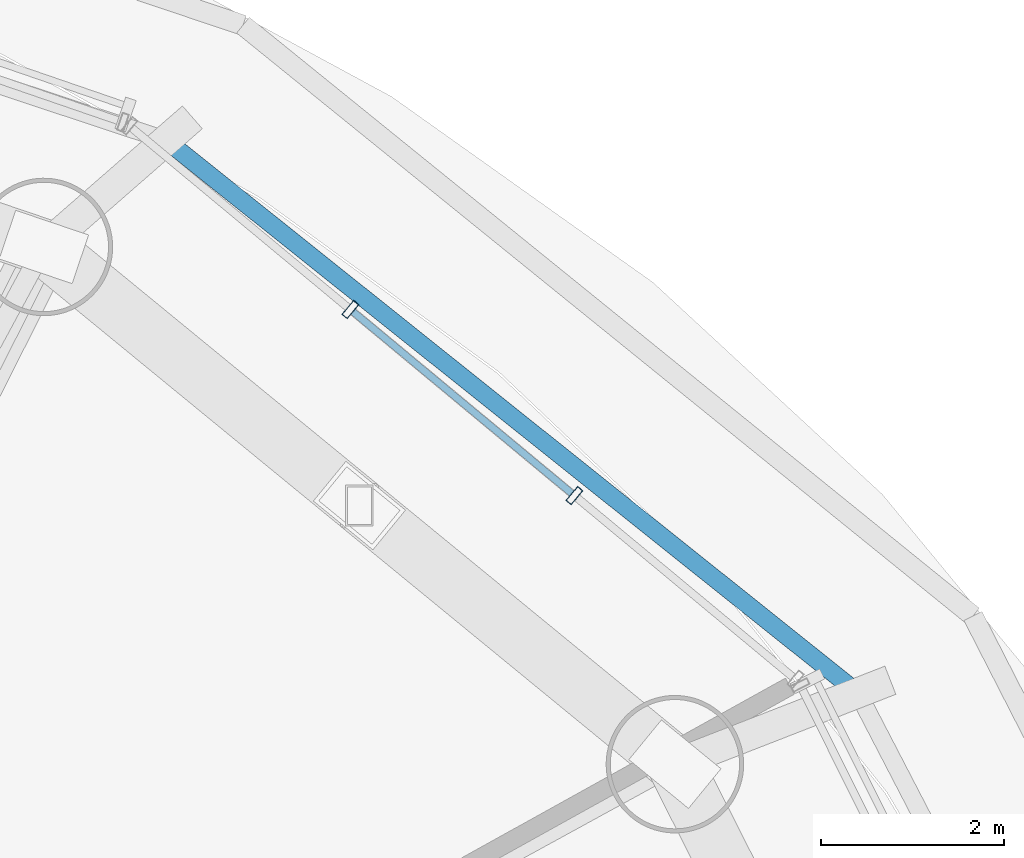
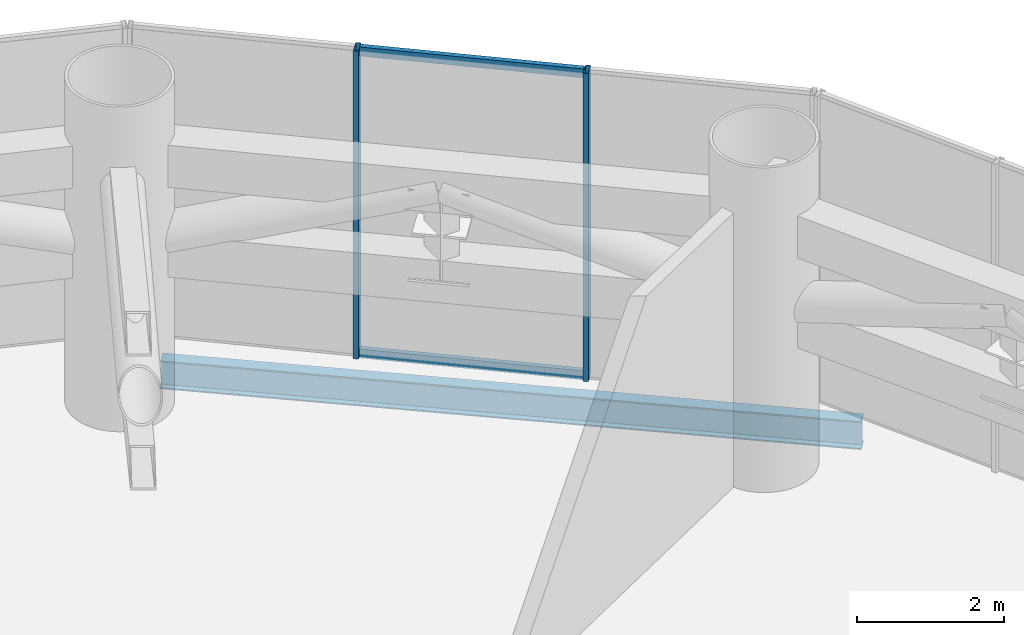
# One storey, part 23 of 33: 4 members, 1 beam, 1 element without a shape of its own.
"""IFC4 building model written with IfcOpenShell, lengths in metres."""

from ifc_helpers import new_model, si_unit, direction, frame, origin, origin_2d, place, context, subcontext, project, spatial, hollow_rectangle, i_section, extrude, source, transform, mapped, material, material_profile, profile_set, type_object, element, aggregate, save


model = new_model("IFC4")

# Units and contexts
model_context = context("Model", 3, precision=1e-05, world=origin(), true_north=direction((-0.2419218956, 0.970295726276)))
body_context = subcontext(model_context, "Body", "Model", "MODEL_VIEW")
ifc_project = project(units=[si_unit("LENGTHUNIT", "METRE"), si_unit("AREAUNIT", "SQUARE_METRE"), si_unit("VOLUMEUNIT", "CUBIC_METRE"), si_unit("PLANEANGLEUNIT", "RADIAN"), si_unit("MASSUNIT", "GRAM", prefix="KILO")], contexts=[model_context])

# Site, building, storey
site_placement = place(None, origin())
site = spatial("IfcSite", under=ifc_project, at=site_placement, CompositionType="ELEMENT")
building_placement = place(site_placement, origin())
building = spatial("IfcBuilding", under=site, at=building_placement, Name="Cobrevalo Terracotta Tower", CompositionType="ELEMENT")
storey_placement = place(building_placement, frame((0.0, 0.0, 74.39990234375)))
storey = spatial("IfcBuildingStorey", under=building, at=storey_placement, Name="L19", CompositionType="ELEMENT", Elevation=74.39990234375)

# Beam
ifc_material_1 = material(Name="Steel S355", Category="steel")
ifc_material_profile_1 = material_profile(ifc_material_1, i_section(OverallWidth=0.194091796875, OverallDepth=0.468994140625, WebThickness=0.011474609375, FlangeThickness=0.0205078125, at=origin_2d()), Name="W 460x106")
ifc_profile_set_1 = profile_set([ifc_material_profile_1], Name="Steel S355")
beam_type = type_object("IfcBeamType", Name="Structural Spandrel W 460x106 (Steel S355)", PredefinedType="SPANDREL", material=ifc_profile_set_1)
beam_placement = place(storey_placement, frame((60.74072265625, 38.939208984375, -0.684326171875), z_axis=(-0.781292806807, 0.62416468182, 0.0), x_axis=(-0.62416468182, -0.781292806807, 0.0)))
element("IfcBeam", 1, at=beam_placement, inside=storey, type_object=beam_type, Name="L19 perimeter ring spandrel 02", PredefinedType="SPANDREL", context=body_context, shape_type="SweptSolid", body=[
    extrude(i_section(OverallWidth=0.194091796875, OverallDepth=0.468994140625, WebThickness=0.011474609375, FlangeThickness=0.0205078125, at=origin_2d()), origin(), (0.0, 0.0, 1.0), 9.658203125),
])

# Curtain wall, members
ifc_material_2 = material(Name="Anodized aluminium", Category="aluminium")
curtain_wall_type = type_object("IfcCurtainWallType", Name="Belt-truss plant acoustic weather-louvre curtain wall CW-LV", PredefinedType="NOTDEFINED", material=ifc_material_2)
curtain_wall_placement = place(storey_placement, origin())
curtain_wall = element("IfcCurtainWall", 2, at=curtain_wall_placement, inside=storey, type_object=curtain_wall_type, Name="L19 curtain wall CW-LV-L19-S02", PredefinedType="NOTDEFINED")
ifc_material_profile_2 = material_profile(ifc_material_2, hollow_rectangle(XDim=0.074951171875, YDim=0.199951171875, WallThickness=0.0048828125, at=origin_2d()), Name="CWM 75x200")
ifc_profile_set_2 = profile_set([ifc_material_profile_2], Name="Anodized aluminium")
member_type_1 = type_object("IfcMemberType", Name="Lower/mid tower unitised mullion 75x200", PredefinedType="MULLION", material=ifc_profile_set_2)
shared_shape_1 = source(origin(), body_context, "Body", "SweptSolid", [
    extrude(hollow_rectangle(XDim=0.074951171875, YDim=0.199951171875, WallThickness=0.0048828125, at=origin_2d()), origin(), (0.0, 0.0, 1.0), 5.125),
])
member_1_placement = place(storey_placement, frame((57.648681640625, 41.091064453125, 0.0), z_axis=(0.0, 0.0, 1.0), x_axis=(-0.769243451658, 0.638955798222, 0.0)))
member_1 = element("IfcMember", 3, at=member_1_placement, type_object=member_type_1, Name="CW-LV-L19-S02 vertical mullion 02", PredefinedType="MULLION", context=body_context, shape_type="MappedRepresentation", body=[
    mapped(shared_shape_1, transform((0.0, 0.0, 0.0), scale=1.0)),
])
member_2_placement = place(storey_placement, frame((55.205078125, 43.120849609375, 0.0), z_axis=(0.0, 0.0, 1.0), x_axis=(-0.769243451658, 0.638955798222, 0.0)))
member_2 = element("IfcMember", 4, at=member_2_placement, type_object=member_type_1, Name="CW-LV-L19-S02 vertical mullion 03", PredefinedType="MULLION", context=body_context, shape_type="MappedRepresentation", body=[
    mapped(shared_shape_1, transform((0.0, 0.0, 0.0), scale=1.0)),
])
ifc_material_profile_3 = material_profile(ifc_material_2, hollow_rectangle(XDim=0.074951171875, YDim=0.14990234375, WallThickness=0.00439453125, at=origin_2d()), Name="CWT 75x150")
ifc_profile_set_3 = profile_set([ifc_material_profile_3], Name="Anodized aluminium")
member_type_2 = type_object("IfcMemberType", Name="Tower unitised aluminium transom 75x150", PredefinedType="USERDEFINED", material=ifc_profile_set_3)
shared_shape_2 = source(origin(), body_context, "Body", "SweptSolid", [
    extrude(hollow_rectangle(XDim=0.074951171875, YDim=0.14990234375, WallThickness=0.00439453125, at=origin_2d()), origin(), (0.0, 0.0, 1.0), 3.0966796875),
])
member_3_placement = place(storey_placement, frame((57.617919921875, 41.11669921875, 0.050048828125), z_axis=(-0.769260719992, 0.63893500818, 0.0), x_axis=(-0.63893500818, -0.769260719992, 0.0)))
member_3 = element("IfcMember", 5, at=member_3_placement, type_object=member_type_2, Name="CW-LV-L19-S02 transom B02-T1", ObjectType="TRANSOM", PredefinedType="USERDEFINED", context=body_context, shape_type="MappedRepresentation", body=[
    mapped(shared_shape_2, transform((0.0, 0.0, 0.0), scale=1.0)),
])
member_4_placement = place(storey_placement, frame((57.617919921875, 41.11669921875, 5.0751953125), z_axis=(-0.769260719992, 0.63893500818, 0.0), x_axis=(-0.63893500818, -0.769260719992, 0.0)))
member_4 = element("IfcMember", 6, at=member_4_placement, type_object=member_type_2, Name="CW-LV-L19-S02 transom B02-T2", ObjectType="TRANSOM", PredefinedType="USERDEFINED", context=body_context, shape_type="MappedRepresentation", body=[
    mapped(shared_shape_2, transform((0.0, 0.0, 0.0), scale=1.0)),
])
aggregate(curtain_wall, [member_1, member_2, member_3, member_4])

save(model, "model.ifc")
